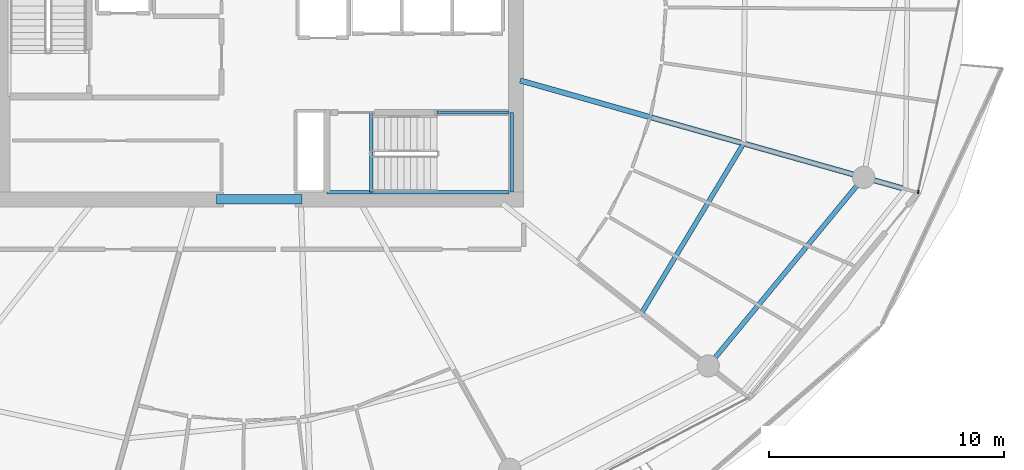
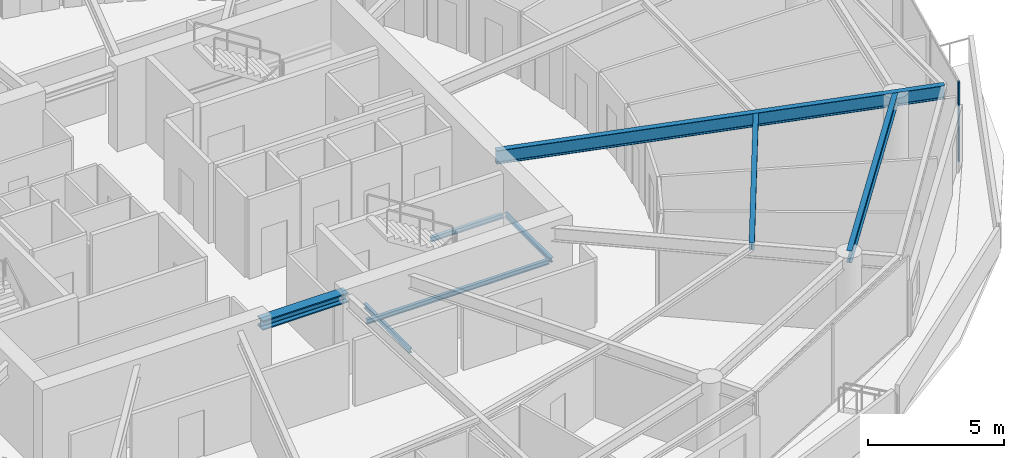
# One storey, part 10 of 30: 8 beams, 1 member, 1 element without a shape of its own.
"""IFC4 building model written with IfcOpenShell, lengths in metres."""

from ifc_helpers import new_model, si_unit, direction, frame, origin, origin_2d, place, context, subcontext, project, spatial, rectangle, i_section, extrude, material, layer, layer_set, material_profile, profile_set, type_object, element, aggregate, save


model = new_model("IFC4")

# Units and contexts
model_context = context("Model", 3, precision=1e-05, world=origin(), true_north=direction((0.0, 1.0)))
body_context = subcontext(model_context, "Body", "Model", "MODEL_VIEW")
ifc_project = project(units=[si_unit("LENGTHUNIT", "METRE"), si_unit("AREAUNIT", "SQUARE_METRE"), si_unit("VOLUMEUNIT", "CUBIC_METRE"), si_unit("PLANEANGLEUNIT", "RADIAN"), si_unit("MASSUNIT", "GRAM", prefix="KILO")], contexts=[model_context])

# Site, building, storey
site_placement = place(None, origin())
site = spatial("IfcSite", under=ifc_project, at=site_placement, CompositionType="ELEMENT")
building_placement = place(site_placement, origin())
building = spatial("IfcBuilding", under=site, at=building_placement, Name="Kazma Halo Residences", CompositionType="ELEMENT")
storey_placement = place(building_placement, frame((0.0, 0.0, 263.64990234375)))
storey = spatial("IfcBuildingStorey", under=building, at=storey_placement, Name="L66", CompositionType="ELEMENT", Elevation=263.64990234375)

# Beams
ifc_material_1 = material(Name="Steel S355", Category="steel")
ifc_material_profile_1 = material_profile(ifc_material_1, i_section(OverallWidth=0.408935546875, OverallDepth=0.425048828125, WebThickness=0.03271484375, FlangeThickness=0.052490234375, FilletRadius=0.02001953125, at=origin_2d()), Name="W360x421")
ifc_profile_set_1 = profile_set([ifc_material_profile_1], Name="Steel S355")
beam_type_1 = type_object("IfcBeamType", Name="BM-CORE-W360H", PredefinedType="BEAM", material=ifc_profile_set_1)
beam_1_placement = place(storey_placement, frame((46.60009765625, 33.675048828125, 3.377685546875), z_axis=(1.0, 0.0, 0.0), x_axis=(0.0, 1.0, 0.0)))
element("IfcBeam", 1, at=beam_1_placement, inside=storey, type_object=beam_type_1, Name="L66 core coupling beam S", PredefinedType="BEAM", context=body_context, shape_type="SweptSolid", body=[
    extrude(i_section(OverallWidth=0.408935546875, OverallDepth=0.425048828125, WebThickness=0.03271484375, FlangeThickness=0.052490234375, FilletRadius=0.02001953125, at=origin_2d()), origin(), (0.0, 0.0, 1.0), 3.64990234375),
])
ifc_material_profile_2 = material_profile(ifc_material_1, i_section(OverallWidth=0.22802734375, OverallDepth=0.60791015625, WebThickness=0.01123046875, FlangeThickness=0.017333984375, FilletRadius=0.01806640625, at=origin_2d()), Name="W610x113")
ifc_profile_set_2 = profile_set([ifc_material_profile_2], Name="Steel S355")
beam_type_2 = type_object("IfcBeamType", Name="BM-RAD-W610", PredefinedType="BEAM", material=ifc_profile_set_2)
beam_2_placement = place(storey_placement, frame((59.550048828125, 38.74267578125, 3.2861328125), z_axis=(0.96245092213, -0.271455746837, 0.0), x_axis=(0.271455746837, 0.96245092213, 0.0)))
element("IfcBeam", 2, at=beam_2_placement, inside=storey, type_object=beam_type_2, Name="L66 radial floor beam 15", PredefinedType="BEAM", context=body_context, shape_type="SweptSolid", body=[
    extrude(i_section(OverallWidth=0.22802734375, OverallDepth=0.60791015625, WebThickness=0.01123046875, FlangeThickness=0.017333984375, FilletRadius=0.01806640625, at=origin_2d()), origin(), (0.0, 0.0, 1.0), 17.06201171875),
])
ifc_material_profile_3 = material_profile(ifc_material_1, i_section(OverallWidth=0.202880859375, OverallDepth=0.302978515625, WebThickness=0.007568359375, FlangeThickness=0.01318359375, FilletRadius=0.013916015625, at=origin_2d()), Name="W310x60")
ifc_profile_set_3 = profile_set([ifc_material_profile_3], Name="Steel S355")
beam_type_3 = type_object("IfcBeamType", Name="BM-SEC-W310A", PredefinedType="JOIST", material=ifc_profile_set_3)
beam_3_placement = place(storey_placement, frame((64.719482421875, 28.8193359375, 3.4384765625), z_axis=(0.515604761061, 0.856826546257, 0.0), x_axis=(-0.856826546257, 0.515604761061, 0.0)))
element("IfcBeam", 3, at=beam_3_placement, inside=storey, type_object=beam_type_3, Name="L66 circumferential floor joist 14", PredefinedType="JOIST", context=body_context, shape_type="SweptSolid", body=[
    extrude(i_section(OverallWidth=0.202880859375, OverallDepth=0.302978515625, WebThickness=0.007568359375, FlangeThickness=0.01318359375, FilletRadius=0.013916015625, at=origin_2d()), origin(), (0.0, 0.0, 1.0), 8.4462890625),
])
ifc_material_profile_4 = material_profile(ifc_material_1, i_section(OverallWidth=0.208984375, OverallDepth=0.532958984375, WebThickness=0.01025390625, FlangeThickness=0.015625, FilletRadius=0.01611328125, at=origin_2d()), Name="W530x92")
ifc_profile_set_4 = profile_set([ifc_material_profile_4], Name="Steel S355")
beam_type_4 = type_object("IfcBeamType", Name="BM-SPN-W530", PredefinedType="BEAM", material=ifc_profile_set_4)
beam_4_placement = place(storey_placement, frame((67.566162109375, 26.5751953125, 3.323486328125), z_axis=(0.636002144225, 0.771687289348, 0.0), x_axis=(-0.771687289348, 0.636002144225, 0.0)))
element("IfcBeam", 4, at=beam_4_placement, inside=storey, type_object=beam_type_4, Name="L66 perimeter ring beam 14", PredefinedType="BEAM", context=body_context, shape_type="SweptSolid", body=[
    extrude(i_section(OverallWidth=0.208984375, OverallDepth=0.532958984375, WebThickness=0.01025390625, FlangeThickness=0.015625, FilletRadius=0.01611328125, at=origin_2d()), origin(), (0.0, 0.0, 1.0), 10.416259765625),
])
ifc_material_profile_5 = material_profile(ifc_material_1, i_section(OverallWidth=0.133056640625, OverallDepth=0.20703125, WebThickness=0.005859375, FlangeThickness=0.00830078125, FilletRadius=0.010009765625, at=origin_2d()), Name="W200x26.6")
ifc_profile_set_5 = profile_set([ifc_material_profile_5], Name="Steel S355")
beam_type_5 = type_object("IfcBeamType", Name="BM-TRIM-W200", PredefinedType="BEAM", material=ifc_profile_set_5)
beam_5_placement = place(storey_placement, frame((53.199951171875, 34.0, -0.369873046875), z_axis=(0.0, 1.0, 0.0), x_axis=(-1.0, 0.0, 0.0)))
element("IfcBeam", 5, at=beam_5_placement, inside=storey, type_object=beam_type_5, Name="L66 ST-03 floor landing support beam", PredefinedType="BEAM", context=body_context, shape_type="SweptSolid", body=[
    extrude(i_section(OverallWidth=0.133056640625, OverallDepth=0.20703125, WebThickness=0.005859375, FlangeThickness=0.00830078125, FilletRadius=0.010009765625, at=origin_2d()), origin(), (0.0, 0.0, 1.0), 3.3798828125),
])
beam_6_placement = place(storey_placement, frame((51.31005859375, 33.97998046875, 1.6201171875), z_axis=(1.0, 0.0, 0.0), x_axis=(0.0, 1.0, 0.0)))
element("IfcBeam", 6, at=beam_6_placement, inside=storey, type_object=beam_type_5, Name="L66 ST-03 landing south wall ledger", PredefinedType="BEAM", context=body_context, shape_type="SweptSolid", body=[
    extrude(i_section(OverallWidth=0.133056640625, OverallDepth=0.20703125, WebThickness=0.005859375, FlangeThickness=0.00830078125, FilletRadius=0.010009765625, at=origin_2d()), origin(), (0.0, 0.0, 1.0), 7.760009765625),
])
beam_7_placement = place(storey_placement, frame((56.0, 37.3798828125, 1.6201171875), z_axis=(1.0, 0.0, 0.0), x_axis=(0.0, 1.0, 0.0)))
element("IfcBeam", 7, at=beam_7_placement, inside=storey, type_object=beam_type_5, Name="L66 ST-03 landing north wall ledger", PredefinedType="BEAM", context=body_context, shape_type="SweptSolid", body=[
    extrude(i_section(OverallWidth=0.133056640625, OverallDepth=0.20703125, WebThickness=0.005859375, FlangeThickness=0.00830078125, FilletRadius=0.010009765625, at=origin_2d()), origin(), (0.0, 0.0, 1.0), 3.070068359375),
])
beam_8_placement = place(storey_placement, frame((59.18994140625, 33.97998046875, 1.6201171875), z_axis=(0.0, 1.0, 0.0), x_axis=(-1.0, 0.0, 0.0)))
element("IfcBeam", 8, at=beam_8_placement, inside=storey, type_object=beam_type_5, Name="L66 ST-03 landing end wall ledger", PredefinedType="BEAM", context=body_context, shape_type="SweptSolid", body=[
    extrude(i_section(OverallWidth=0.133056640625, OverallDepth=0.20703125, WebThickness=0.005859375, FlangeThickness=0.00830078125, FilletRadius=0.010009765625, at=origin_2d()), origin(), (0.0, 0.0, 1.0), 3.39990234375),
])

# Curtain wall, member
ifc_material_2 = material(Name="Aluminium AW-6063 T6 and Triple-Silver Low-E Glass", Category="aluminium")
ifc_layer = layer(ifc_material_2, 0.139892578125)
ifc_layer_set = layer_set([ifc_layer], Name="Aluminium AW-6063 T6 and Triple-Silver Low-E Glass")
curtain_wall_type = type_object("IfcCurtainWallType", Name="CW-SYS-5", PredefinedType="NOTDEFINED", material=ifc_layer_set)
curtain_wall_placement = place(storey_placement, origin())
curtain_wall = element("IfcCurtainWall", 9, at=curtain_wall_placement, inside=storey, type_object=curtain_wall_type, Name="L66 unitised curtain wall B15", PredefinedType="NOTDEFINED")
ifc_material_3 = material(Name="Aluminium AW-6063 T6", Category="aluminium")
ifc_material_profile_6 = material_profile(ifc_material_3, rectangle(XDim=0.06005859375, YDim=0.139892578125, at=origin_2d()), Name="CWM-60x140")
ifc_profile_set_6 = profile_set([ifc_material_profile_6], Name="Aluminium AW-6063 T6")
member_type = type_object("IfcMemberType", Name="CW-SYS-5-MUL", PredefinedType="MULLION", material=ifc_profile_set_6)
member_placement = place(storey_placement, frame((76.514892578125, 33.989013671875, 0.0), z_axis=(0.0, 0.0, 1.0), x_axis=(-0.97777491373, 0.209657382603, 0.0)))
member = element("IfcMember", 10, at=member_placement, type_object=member_type, Name="CWS-5 mullion 1", PredefinedType="MULLION", context=body_context, shape_type="SweptSolid", body=[
    extrude(rectangle(XDim=0.06005859375, YDim=0.139892578125, at=origin_2d()), origin(), (0.0, 0.0, 1.0), 3.590087890625),
])
aggregate(curtain_wall, [member])

save(model, "model.ifc")
